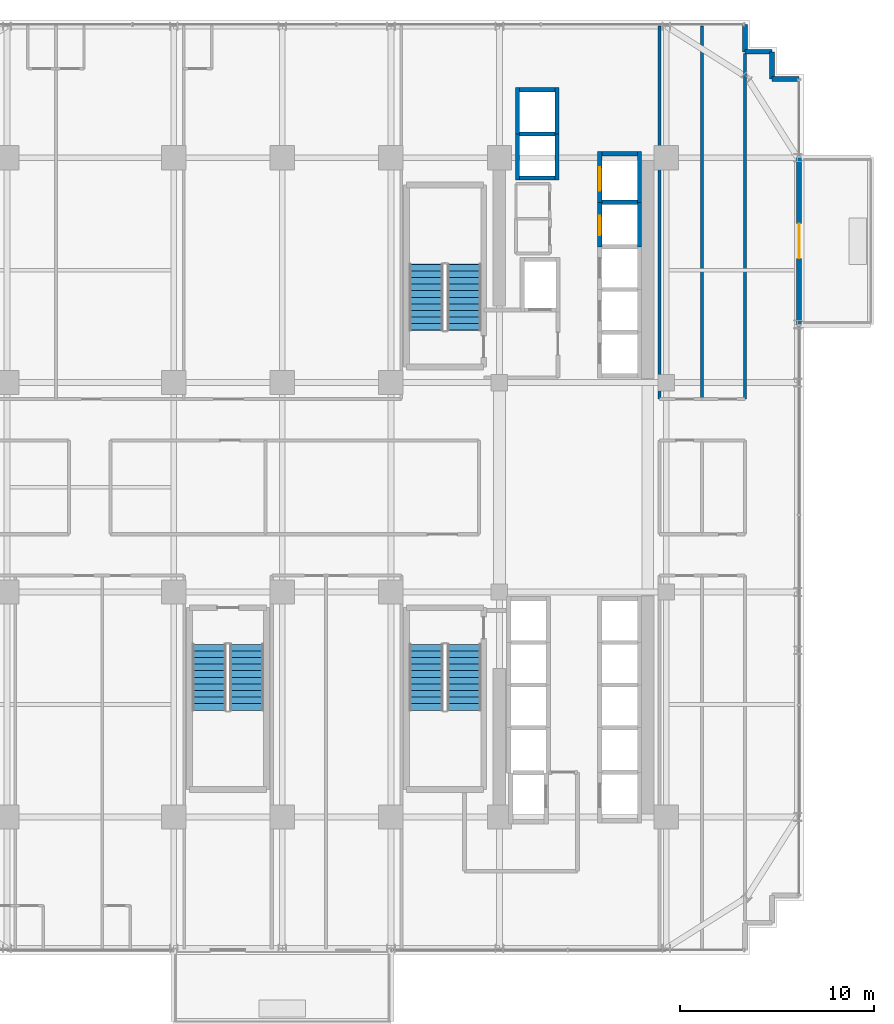
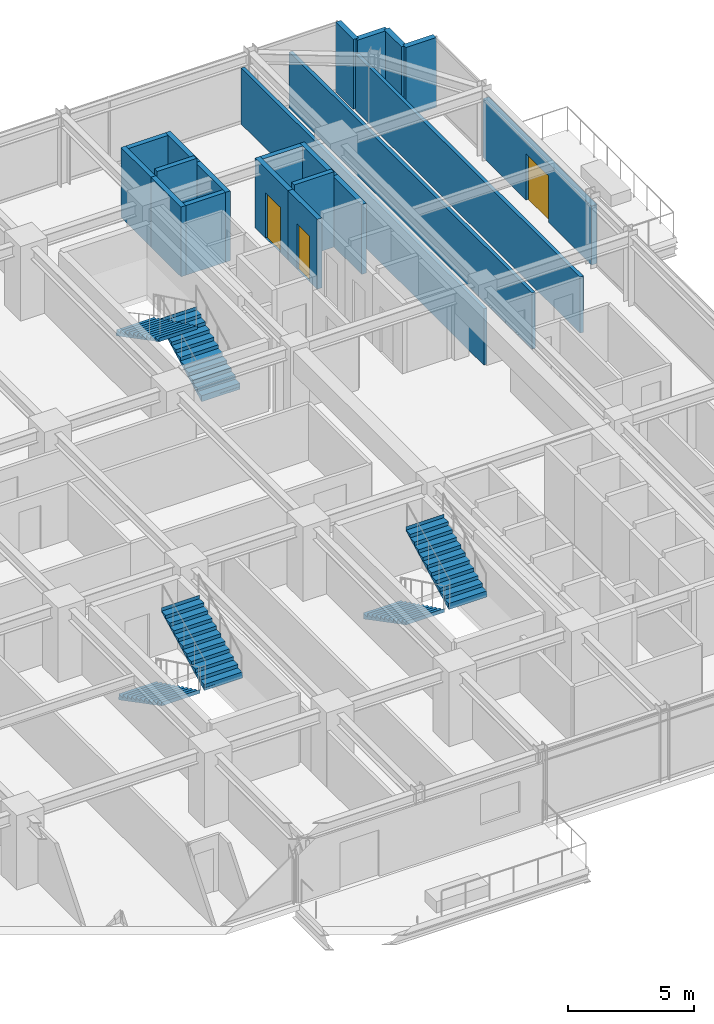
# One storey, part 30 of 33: 21 walls, 6 stair flights, 3 doors, 3 openings, 3 elements without a shape of their own.
"""IFC4 building model written with IfcOpenShell, lengths in metres."""

from ifc_helpers import new_model, si_unit, direction, frame, frame_2d, origin, place, context, subcontext, project, spatial, polyline, rectangle, outline, extrude, source, transform, mapped, material, layer, layer_set, type_object, element, fill, aggregate, save


model = new_model("IFC4")

# Units and contexts
model_context = context("Model", 3, precision=1e-05, world=origin(), true_north=direction((0.0, 1.0)))
body_context = subcontext(model_context, "Body", "Model", "MODEL_VIEW")
ifc_project = project(units=[si_unit("LENGTHUNIT", "METRE"), si_unit("AREAUNIT", "SQUARE_METRE"), si_unit("VOLUMEUNIT", "CUBIC_METRE"), si_unit("PLANEANGLEUNIT", "RADIAN"), si_unit("MASSUNIT", "GRAM", prefix="KILO")], contexts=[model_context])

# Site, building, storey
site_placement = place(None, origin())
site = spatial("IfcSite", under=ifc_project, at=site_placement, CompositionType="ELEMENT")
building_placement = place(site_placement, origin())
building = spatial("IfcBuilding", under=site, at=building_placement, Name="Nahalor Promenade Grand Hotel", CompositionType="ELEMENT")
storey_placement = place(building_placement, frame((0.0, 0.0, 117.5)))
storey = spatial("IfcBuildingStorey", under=building, at=storey_placement, Name="L29", CompositionType="ELEMENT", Elevation=117.5)

# Walls
ifc_material_1 = material(Name="Concrete B-50 (C40/50)", Category="concrete")
ifc_layer_1 = layer(ifc_material_1, 0.219970703125)
ifc_layer_set_1 = layer_set([ifc_layer_1], Name="Concrete B-50 (C40/50)")
wall_type_1 = type_object("IfcWallType", Name="Wall-LiftShaft-220", PredefinedType="SHEAR", material=ifc_layer_set_1)
shared_shape_1 = source(origin(), body_context, "Body", "SweptSolid", [
    extrude(rectangle(XDim=1.820068359375, YDim=0.219970703125, at=frame_2d((0.91015625, 0.0))), origin(), (0.0, 0.0, 1.0), 3.64990234375),
])
for number, where, z_axis, x_axis, name in (
    (1, (13.68994140625, 14.699951171875, 0.0), (0.0, 0.0, 1.0), (1.0, 0.0, 0.0), "L29 Lift PL4 Hoistway Wall N"),
    (2, (9.43994140625, 18.22509765625, 0.0), (0.0, 0.0, 1.0), (1.0, 0.0, 0.0), "L29 Lift OB1 Hoistway Wall N"),
):
    element("IfcWall", number, at=place(storey_placement, frame(where, z_axis=z_axis, x_axis=x_axis)), inside=storey, type_object=wall_type_1, Name=name, PredefinedType="SHEAR", context=body_context, shape_type="MappedRepresentation", body=[
        mapped(shared_shape_1, transform((0.0, 0.0, 0.0), scale=1.0)),
    ])
shared_shape_2 = source(origin(), body_context, "Body", "SweptSolid", [
    extrude(rectangle(XDim=1.820068359375, YDim=0.219970703125, at=frame_2d((0.91015625, 0.0))), origin(), (0.0, 0.0, 1.0), 3.3798828125),
])
for number, where, z_axis, x_axis, name in (
    (3, (9.43994140625, 15.949951171875, 0.0), (0.0, 0.0, 1.0), (1.0, 0.0, 0.0), "L29 Lift OB1 Hoistway Wall S"),
    (4, (9.43994140625, 20.5, 0.0), (0.0, 0.0, 1.0), (1.0, 0.0, 0.0), "L29 Lift OB2 Hoistway Wall N"),
    (5, (13.68994140625, 17.199951171875, 0.0), (0.0, 0.0, 1.0), (1.0, 0.0, 0.0), "L29 Lift SV1 Hoistway Wall N"),
):
    element("IfcWall", number, at=place(storey_placement, frame(where, z_axis=z_axis, x_axis=x_axis)), inside=storey, type_object=wall_type_1, Name=name, PredefinedType="SHEAR", context=body_context, shape_type="MappedRepresentation", body=[
        mapped(shared_shape_2, transform((0.0, 0.0, 0.0), scale=1.0)),
    ])

# Wall, opening, door
shared_shape_3 = source(origin(), body_context, "Body", "SweptSolid", [
    extrude(rectangle(XDim=2.300048828125, YDim=0.219970703125, at=frame_2d((1.14990234375, 0.0))), origin(), (0.0, 0.0, 1.0), 3.3798828125),
])
wall_1_placement = place(storey_placement, frame((13.580078125, 12.39990234375, 0.0), z_axis=(0.0, 0.0, 1.0), x_axis=(0.0, 1.0, 0.0)))
wall_1 = element("IfcWall", 6, at=wall_1_placement, inside=storey, type_object=wall_type_1, Name="L29 Lift PL4 Hoistway Wall W", PredefinedType="SHEAR", context=body_context, shape_type="MappedRepresentation", body=[
    mapped(shared_shape_3, transform((0.0, 0.0, 0.0), scale=1.0)),
])
opening_1_placement = place(wall_1_placement, frame((0.60009765625, 0.0, 0.0)))
opening_1 = element("IfcOpeningElement", 7, at=opening_1_placement, cuts=wall_1, Name="Opening LD-01", PredefinedType="OPENING", context=body_context, shape_type="SweptSolid", body=[
    extrude(rectangle(XDim=1.0, YDim=2.199951171875, at=frame_2d((0.5, 1.10009765625))), frame((0.0, 0.119873046875, 0.0), z_axis=(0.0, -1.0, 0.0), x_axis=(1.0, 0.0, 0.0)), (0.0, 0.0, 1.0), 0.239990234375),
])
ifc_material_2 = material(Name="Steel S355JR", Category="steel")
door_type_1 = type_object("IfcDoorType", Name="Door-LiftLanding-1000", OperationType="DOUBLE_DOOR_SLIDING", PredefinedType="DOOR", material=ifc_material_2)
shared_shape_4 = source(origin(), body_context, "Body", "SweptSolid", [
    extrude(rectangle(XDim=1.0, YDim=2.199951171875, at=frame_2d((0.5, 1.10009765625))), frame((0.0, 0.02490234375, 0.0), z_axis=(0.0, -1.0, 0.0), x_axis=(1.0, 0.0, 0.0)), (0.0, 0.0, 1.0), 0.050048828125),
])
door_1_placement = place(opening_1_placement, origin())
door_1 = element("IfcDoor", 8, at=door_1_placement, inside=storey, type_object=door_type_1, Name="DR-LIFT-PL4-L29", OperationType="DOUBLE_DOOR_SLIDING", OverallHeight=2.199951171875, OverallWidth=1.0, PredefinedType="DOOR", context=body_context, shape_type="MappedRepresentation", body=[
    mapped(shared_shape_4, transform((0.0, 0.0, 0.0), scale=1.0)),
])
fill(opening_1, door_1)

# Walls
wall_2_placement = place(storey_placement, frame((15.6201171875, 12.39990234375, 0.0), z_axis=(0.0, 0.0, 1.0), x_axis=(0.0, 1.0, 0.0)))
element("IfcWall", 9, at=wall_2_placement, inside=storey, type_object=wall_type_1, Name="L29 Lift PL4 Hoistway Wall E", PredefinedType="SHEAR", context=body_context, shape_type="MappedRepresentation", body=[
    mapped(shared_shape_3, transform((0.0, 0.0, 0.0), scale=1.0)),
])
shared_shape_5 = source(origin(), body_context, "Body", "SweptSolid", [
    extrude(rectangle(XDim=2.385009765625, YDim=0.219970703125, at=frame_2d((1.1923828125, 0.0))), origin(), (0.0, 0.0, 1.0), 3.3798828125),
])
for number, where, z_axis, x_axis, name in (
    (10, (9.330078125, 15.840087890625, 0.0), (0.0, 0.0, 1.0), (0.0, 1.0, 0.0), "L29 Lift OB1 Hoistway Wall W"),
    (11, (11.3701171875, 15.840087890625, 0.0), (0.0, 0.0, 1.0), (0.0, 1.0, 0.0), "L29 Lift OB1 Hoistway Wall E"),
    (12, (9.330078125, 18.22509765625, 0.0), (0.0, 0.0, 1.0), (0.0, 1.0, 0.0), "L29 Lift OB2 Hoistway Wall W"),
    (13, (11.3701171875, 18.22509765625, 0.0), (0.0, 0.0, 1.0), (0.0, 1.0, 0.0), "L29 Lift OB2 Hoistway Wall E"),
):
    element("IfcWall", number, at=place(storey_placement, frame(where, z_axis=z_axis, x_axis=x_axis)), inside=storey, type_object=wall_type_1, Name=name, PredefinedType="SHEAR", context=body_context, shape_type="MappedRepresentation", body=[
        mapped(shared_shape_5, transform((0.0, 0.0, 0.0), scale=1.0)),
    ])

# Wall, opening, door
shared_shape_6 = source(origin(), body_context, "Body", "SweptSolid", [
    extrude(rectangle(XDim=2.610107421875, YDim=0.219970703125, at=frame_2d((1.30517578125, 0.0))), origin(), (0.0, 0.0, 1.0), 3.3798828125),
])
wall_3_placement = place(storey_placement, frame((13.580078125, 14.699951171875, 0.0), z_axis=(0.0, 0.0, 1.0), x_axis=(0.0, 1.0, 0.0)))
wall_3 = element("IfcWall", 14, at=wall_3_placement, inside=storey, type_object=wall_type_1, Name="L29 Lift SV1 Hoistway Wall W", PredefinedType="SHEAR", context=body_context, shape_type="MappedRepresentation", body=[
    mapped(shared_shape_6, transform((0.0, 0.0, 0.0), scale=1.0)),
])
opening_2_placement = place(wall_3_placement, frame((0.60009765625, 0.0, 0.0)))
opening_2 = element("IfcOpeningElement", 15, at=opening_2_placement, cuts=wall_3, Name="Opening LD-03", PredefinedType="OPENING", context=body_context, shape_type="SweptSolid", body=[
    extrude(rectangle(XDim=1.199951171875, YDim=2.199951171875, at=frame_2d((0.60009765625, 1.10009765625))), frame((0.0, 0.119873046875, 0.0), z_axis=(0.0, -1.0, 0.0), x_axis=(1.0, 0.0, 0.0)), (0.0, 0.0, 1.0), 0.239990234375),
])
door_type_2 = type_object("IfcDoorType", Name="Door-LiftService-1200", OperationType="DOUBLE_DOOR_SLIDING", PredefinedType="DOOR", material=ifc_material_2)
shared_shape_7 = source(origin(), body_context, "Body", "SweptSolid", [
    extrude(rectangle(XDim=1.199951171875, YDim=2.199951171875, at=frame_2d((0.60009765625, 1.10009765625))), frame((0.0, 0.02490234375, 0.0), z_axis=(0.0, -1.0, 0.0), x_axis=(1.0, 0.0, 0.0)), (0.0, 0.0, 1.0), 0.050048828125),
])
door_2_placement = place(opening_2_placement, origin())
door_2 = element("IfcDoor", 16, at=door_2_placement, inside=storey, type_object=door_type_2, Name="DR-LIFT-SV1-L29", OperationType="DOUBLE_DOOR_SLIDING", OverallHeight=2.199951171875, OverallWidth=1.199951171875, PredefinedType="DOOR", context=body_context, shape_type="MappedRepresentation", body=[
    mapped(shared_shape_7, transform((0.0, 0.0, 0.0), scale=1.0)),
])
fill(opening_2, door_2)

# Walls
wall_4_placement = place(storey_placement, frame((15.6201171875, 14.699951171875, 0.0), z_axis=(0.0, 0.0, 1.0), x_axis=(0.0, 1.0, 0.0)))
element("IfcWall", 17, at=wall_4_placement, inside=storey, type_object=wall_type_1, Name="L29 Lift SV1 Hoistway Wall E", PredefinedType="SHEAR", context=body_context, shape_type="MappedRepresentation", body=[
    mapped(shared_shape_6, transform((0.0, 0.0, 0.0), scale=1.0)),
])
ifc_material_3 = material(Name="Concrete B-40 (C32/40)", Category="concrete")
ifc_layer_2 = layer(ifc_material_3, 0.25)
ifc_layer_set_2 = layer_set([ifc_layer_2], Name="Concrete B-40 (C32/40)")
wall_type_2 = type_object("IfcWallType", Name="Wall-BronzePier-250", PredefinedType="STANDARD", material=ifc_layer_set_2)
shared_shape_8 = source(origin(), body_context, "Body", "SweptSolid", [
    extrude(rectangle(XDim=1.400146484375, YDim=0.25, at=frame_2d((0.7001953125, 0.0))), origin(), (0.0, 0.0, 1.0), 3.3798828125),
])
for number, where, z_axis, x_axis, name in (
    (18, (22.4599609375, 21.06005859375, 0.0), (0.0, 0.0, 1.0), (1.0, 0.0, 0.0), "W-L29-SR-05"),
    (19, (21.06005859375, 22.4599609375, 0.0), (0.0, 0.0, 1.0), (0.0, 1.0, 0.0), "W-L29-SR-08"),
):
    element("IfcWall", number, at=place(storey_placement, frame(where, z_axis=z_axis, x_axis=x_axis)), inside=storey, type_object=wall_type_2, Name=name, PredefinedType="STANDARD", context=body_context, shape_type="MappedRepresentation", body=[
        mapped(shared_shape_8, transform((0.0, 0.0, 0.0), scale=1.0)),
    ])
shared_shape_9 = source(origin(), body_context, "Body", "SweptSolid", [
    extrude(rectangle(XDim=1.39990234375, YDim=0.25, at=frame_2d((0.699951171875, 0.0))), origin(), (0.0, 0.0, 1.0), 3.3798828125),
])
for number, where, z_axis, x_axis, name in (
    (20, (22.4599609375, 21.06005859375, 0.0), (0.0, 0.0, 1.0), (0.0, 1.0, 0.0), "W-L29-SR-06"),
    (21, (21.06005859375, 22.4599609375, 0.0), (0.0, 0.0, 1.0), (1.0, 0.0, 0.0), "W-L29-SR-07"),
):
    element("IfcWall", number, at=place(storey_placement, frame(where, z_axis=z_axis, x_axis=x_axis)), inside=storey, type_object=wall_type_2, Name=name, PredefinedType="STANDARD", context=body_context, shape_type="MappedRepresentation", body=[
        mapped(shared_shape_9, transform((0.0, 0.0, 0.0), scale=1.0)),
    ])

# Wall, opening, door
ifc_layer_3 = layer(ifc_material_3, 0.260009765625)
ifc_layer_set_3 = layer_set([ifc_layer_3], Name="Concrete B-40 (C32/40)")
wall_type_3 = type_object("IfcWallType", Name="Wall-BalconyWall-260", PredefinedType="STANDARD", material=ifc_layer_set_3)
shared_shape_10 = source(origin(), body_context, "Body", "SweptSolid", [
    extrude(rectangle(XDim=8.60009765625, YDim=0.260009765625, at=frame_2d((4.300048828125, 0.0))), origin(), (0.0, 0.0, 1.0), 2.860107421875),
])
wall_5_placement = place(storey_placement, frame((23.860107421875, 8.39990234375, 0.0), z_axis=(0.0, 0.0, 1.0), x_axis=(0.0, 1.0, 0.0)))
wall_5 = element("IfcWall", 22, at=wall_5_placement, inside=storey, type_object=wall_type_3, Name="W-L29-BALC-E-2", PredefinedType="STANDARD", context=body_context, shape_type="MappedRepresentation", body=[
    mapped(shared_shape_10, transform((0.0, 0.0, 0.0), scale=1.0)),
])
opening_3_placement = place(wall_5_placement, frame((3.39990234375, 0.0, 0.0)))
opening_3 = element("IfcOpeningElement", 23, at=opening_3_placement, cuts=wall_5, Name="Opening D-BC1", PredefinedType="OPENING", context=body_context, shape_type="SweptSolid", body=[
    extrude(rectangle(XDim=1.800048828125, YDim=2.25, at=frame_2d((0.89990234375, 1.125))), frame((0.0, 0.139892578125, 0.0), z_axis=(0.0, -1.0, 0.0), x_axis=(1.0, 0.0, 0.0)), (0.0, 0.0, 1.0), 0.280029296875),
])
ifc_material_4 = material(Name="Anodised Bronze Aluminium EN AW-6063 T6", Category="aluminium")
door_type_3 = type_object("IfcDoorType", Name="Door-BalconySlide-1800", OperationType="DOUBLE_DOOR_SLIDING", PredefinedType="DOOR", material=ifc_material_4)
shared_shape_11 = source(origin(), body_context, "Body", "SweptSolid", [
    extrude(rectangle(XDim=1.800048828125, YDim=2.25, at=frame_2d((0.89990234375, 1.125))), frame((0.0, 0.02490234375, 0.0), z_axis=(0.0, -1.0, 0.0), x_axis=(1.0, 0.0, 0.0)), (0.0, 0.0, 1.0), 0.050048828125),
])
door_3_placement = place(opening_3_placement, frame((1.800048828125, 0.0, 0.0), z_axis=(0.0, 0.0, 1.0), x_axis=(-1.0, 0.0, 0.0)))
door_3 = element("IfcDoor", 24, at=door_3_placement, inside=storey, type_object=door_type_3, Name="DR-L29-BALC-E-2", OperationType="DOUBLE_DOOR_SLIDING", OverallHeight=2.25, OverallWidth=1.800048828125, PredefinedType="DOOR", context=body_context, shape_type="MappedRepresentation", body=[
    mapped(shared_shape_11, transform((0.0, 0.0, 0.0), scale=1.0)),
])
fill(opening_3, door_3)

# Walls
ifc_material_5 = material(Name="Acoustic Mineral Gypsum", Category="gypsum")
ifc_layer_4 = layer(ifc_material_5, 0.159912109375)
ifc_layer_set_4 = layer_set([ifc_layer_4], Name="Acoustic Mineral Gypsum")
wall_type_4 = type_object("IfcWallType", Name="Wall-PartCorridor-160", PredefinedType="PARTITIONING", material=ifc_layer_set_4)
shared_shape_12 = source(origin(), body_context, "Body", "SweptSolid", [
    extrude(rectangle(XDim=19.25, YDim=0.159912109375, at=frame_2d((9.625, 0.0))), origin(), (0.0, 0.0, 1.0), 2.719970703125),
])
for number, where, z_axis, x_axis, name in (
    (25, (16.64990234375, 4.550048828125, 0.0), (0.0, 0.0, 1.0), (0.0, 1.0, 0.0), "W-L29-ENE1-W"),
    (26, (18.85498046875, 4.550048828125, 0.0), (0.0, 0.0, 1.0), (0.0, 1.0, 0.0), "W-L29-ENE1-E"),
):
    element("IfcWall", number, at=place(storey_placement, frame(where, z_axis=z_axis, x_axis=x_axis)), inside=storey, type_object=wall_type_4, Name=name, PredefinedType="PARTITIONING", context=body_context, shape_type="MappedRepresentation", body=[
        mapped(shared_shape_12, transform((0.0, 0.0, 0.0), scale=1.0)),
    ])
shared_shape_13 = source(origin(), body_context, "Body", "SweptSolid", [
    extrude(rectangle(XDim=17.829833984375, YDim=0.159912109375, at=frame_2d((8.9150390625, 0.0))), origin(), (0.0, 0.0, 1.0), 2.719970703125),
])
wall_6_placement = place(storey_placement, frame((21.06005859375, 4.550048828125, 0.0), z_axis=(0.0, 0.0, 1.0), x_axis=(0.0, 1.0, 0.0)))
element("IfcWall", 27, at=wall_6_placement, inside=storey, type_object=wall_type_4, Name="W-L29-ENE2-E", PredefinedType="PARTITIONING", context=body_context, shape_type="MappedRepresentation", body=[
    mapped(shared_shape_13, transform((0.0, 0.0, 0.0), scale=1.0)),
])

# Stair, stair flights
stair_type_1 = type_object("IfcStairType", Name="Stair-ST1", PredefinedType="HALF_TURN_STAIR", material=ifc_material_1)
stair_1_placement = place(storey_placement, origin())
stair_1 = element("IfcStair", 28, at=stair_1_placement, inside=storey, type_object=stair_type_1, Name="L29 ST1", PredefinedType="HALF_TURN_STAIR")
ifc_layer_5 = layer(ifc_material_1, 0.179931640625)
ifc_layer_set_5 = layer_set([ifc_layer_5], Name="Concrete B-50 (C40/50)")
stair_flight_type_1 = type_object("IfcStairFlightType", Name="Flight-ST1", PredefinedType="STRAIGHT", material=ifc_layer_set_5)
shared_shape_14 = source(origin(), body_context, "Body", "SweptSolid", [
    extrude(outline(polyline([(-0.00390625, -0.1201171875), (-0.00390625, 0.0), (0.0, 0.0), (0.0, 0.166015625), (0.340087890625, 0.166015625), (0.340087890625, 0.331787109375), (0.679931640625, 0.331787109375), (0.679931640625, 0.497802734375), (1.02001953125, 0.497802734375), (1.02001953125, 0.66357421875), (1.360107421875, 0.66357421875), (1.360107421875, 0.82958984375), (1.699951171875, 0.82958984375), (1.699951171875, 0.995361328125), (2.0400390625, 0.995361328125), (2.0400390625, 1.161376953125), (2.3798828125, 1.161376953125), (2.3798828125, 1.327392578125), (2.719970703125, 1.327392578125), (2.719970703125, 1.4931640625), (3.06005859375, 1.4931640625), (3.06005859375, 1.6591796875), (3.39990234375, 1.6591796875), (3.39990234375, 1.824951171875), (3.404052734375, 1.824951171875), (3.404052734375, 1.64501953125), (0.02001953125, -0.1201171875), (-0.00390625, -0.1201171875)])), frame((0.0, 0.875, 0.0), z_axis=(0.0, -1.0, 0.0), x_axis=(1.0, 0.0, 0.0)), (0.0, 0.0, 1.0), 1.75),
])
stair_flight_1_placement = place(storey_placement, frame((6.574951171875, 8.10009765625, 0.0), z_axis=(0.0, 0.0, 1.0), x_axis=(0.0, 1.0, 0.0)))
stair_flight_1 = element("IfcStairFlight", 29, at=stair_flight_1_placement, type_object=stair_flight_type_1, Name="ST1 flight 1", NumberOfRisers=11, NumberOfTreads=10, PredefinedType="STRAIGHT", RiserHeight=0.165909091, TreadLength=0.34, context=body_context, shape_type="MappedRepresentation", body=[
    mapped(shared_shape_14, transform((0.0, 0.0, 0.0), scale=1.0)),
])
stair_flight_2_placement = place(storey_placement, frame((4.625, 11.5, 1.824951171875), z_axis=(0.0, 0.0, 1.0), x_axis=(0.0, -1.0, 0.0)))
stair_flight_2 = element("IfcStairFlight", 30, at=stair_flight_2_placement, type_object=stair_flight_type_1, Name="ST1 flight 2", NumberOfRisers=11, NumberOfTreads=10, PredefinedType="STRAIGHT", RiserHeight=0.165909091, TreadLength=0.34, context=body_context, shape_type="MappedRepresentation", body=[
    mapped(shared_shape_14, transform((0.0, 0.0, 0.0), scale=1.0)),
])
aggregate(stair_1, [stair_flight_1, stair_flight_2])

stair_type_2 = type_object("IfcStairType", Name="Stair-ST2", PredefinedType="HALF_TURN_STAIR", material=ifc_material_1)
stair_2_placement = place(storey_placement, origin())
stair_2 = element("IfcStair", 31, at=stair_2_placement, inside=storey, type_object=stair_type_2, Name="L29 ST2", PredefinedType="HALF_TURN_STAIR")
ifc_layer_6 = layer(ifc_material_1, 0.18994140625)
ifc_layer_set_6 = layer_set([ifc_layer_6], Name="Concrete B-50 (C40/50)")
stair_flight_type_2 = type_object("IfcStairFlightType", Name="Flight-ST2", PredefinedType="STRAIGHT", material=ifc_layer_set_6)
shared_shape_15 = source(origin(), body_context, "Body", "SweptSolid", [
    extrude(outline(polyline([(-0.00390625, -0.1201171875), (-0.00390625, 0.0), (0.0, 0.0), (0.0, 0.166015625), (0.340087890625, 0.166015625), (0.340087890625, 0.331787109375), (0.679931640625, 0.331787109375), (0.679931640625, 0.497802734375), (1.02001953125, 0.497802734375), (1.02001953125, 0.66357421875), (1.360107421875, 0.66357421875), (1.360107421875, 0.82958984375), (1.699951171875, 0.82958984375), (1.699951171875, 0.995361328125), (2.0400390625, 0.995361328125), (2.0400390625, 1.161376953125), (2.3798828125, 1.161376953125), (2.3798828125, 1.327392578125), (2.719970703125, 1.327392578125), (2.719970703125, 1.4931640625), (3.06005859375, 1.4931640625), (3.06005859375, 1.6591796875), (3.39990234375, 1.6591796875), (3.39990234375, 1.824951171875), (3.404052734375, 1.824951171875), (3.404052734375, 1.64501953125), (0.02001953125, -0.1201171875), (-0.00390625, -0.1201171875)])), frame((0.0, 0.875, 0.0), z_axis=(0.0, -1.0, 0.0), x_axis=(1.0, 0.0, 0.0)), (0.0, 0.0, 1.0), 1.75),
])
stair_flight_3_placement = place(storey_placement, frame((4.625, -8.10009765625, 0.0), z_axis=(0.0, 0.0, 1.0), x_axis=(0.0, -1.0, 0.0)))
stair_flight_3 = element("IfcStairFlight", 32, at=stair_flight_3_placement, type_object=stair_flight_type_2, Name="ST2 flight 1", NumberOfRisers=11, NumberOfTreads=10, PredefinedType="STRAIGHT", RiserHeight=0.165909091, TreadLength=0.34, context=body_context, shape_type="MappedRepresentation", body=[
    mapped(shared_shape_15, transform((0.0, 0.0, 0.0), scale=1.0)),
])
stair_flight_4_placement = place(storey_placement, frame((6.574951171875, -11.5, 1.824951171875), z_axis=(0.0, 0.0, 1.0), x_axis=(0.0, 1.0, 0.0)))
stair_flight_4 = element("IfcStairFlight", 33, at=stair_flight_4_placement, type_object=stair_flight_type_2, Name="ST2 flight 2", NumberOfRisers=11, NumberOfTreads=10, PredefinedType="STRAIGHT", RiserHeight=0.165909091, TreadLength=0.34, context=body_context, shape_type="MappedRepresentation", body=[
    mapped(shared_shape_15, transform((0.0, 0.0, 0.0), scale=1.0)),
])
aggregate(stair_2, [stair_flight_3, stair_flight_4])

stair_type_3 = type_object("IfcStairType", Name="Stair-ST3", PredefinedType="HALF_TURN_STAIR", material=ifc_material_1)
stair_3_placement = place(storey_placement, origin())
stair_3 = element("IfcStair", 34, at=stair_3_placement, inside=storey, type_object=stair_type_3, Name="L29 ST3", PredefinedType="HALF_TURN_STAIR")
ifc_layer_7 = layer(ifc_material_1, 0.199951171875)
ifc_layer_set_7 = layer_set([ifc_layer_7], Name="Concrete B-50 (C40/50)")
stair_flight_type_3 = type_object("IfcStairFlightType", Name="Flight-ST3", PredefinedType="STRAIGHT", material=ifc_layer_set_7)
shared_shape_16 = source(origin(), body_context, "Body", "SweptSolid", [
    extrude(outline(polyline([(-0.00390625, -0.1201171875), (-0.00390625, 0.0), (0.0, 0.0), (0.0, 0.166015625), (0.340087890625, 0.166015625), (0.340087890625, 0.331787109375), (0.679931640625, 0.331787109375), (0.679931640625, 0.497802734375), (1.02001953125, 0.497802734375), (1.02001953125, 0.66357421875), (1.360107421875, 0.66357421875), (1.360107421875, 0.82958984375), (1.699951171875, 0.82958984375), (1.699951171875, 0.995361328125), (2.0400390625, 0.995361328125), (2.0400390625, 1.161376953125), (2.3798828125, 1.161376953125), (2.3798828125, 1.327392578125), (2.719970703125, 1.327392578125), (2.719970703125, 1.4931640625), (3.06005859375, 1.4931640625), (3.06005859375, 1.6591796875), (3.39990234375, 1.6591796875), (3.39990234375, 1.824951171875), (3.404052734375, 1.824951171875), (3.404052734375, 1.64501953125), (0.02001953125, -0.1201171875), (-0.00390625, -0.1201171875)])), frame((0.0, 0.875, 0.0), z_axis=(0.0, -1.0, 0.0), x_axis=(1.0, 0.0, 0.0)), (0.0, 0.0, 1.0), 1.75),
])
stair_flight_5_placement = place(storey_placement, frame((-6.574951171875, -8.10009765625, 0.0), z_axis=(0.0, 0.0, 1.0), x_axis=(0.0, -1.0, 0.0)))
stair_flight_5 = element("IfcStairFlight", 35, at=stair_flight_5_placement, type_object=stair_flight_type_3, Name="ST3 flight 1", NumberOfRisers=11, NumberOfTreads=10, PredefinedType="STRAIGHT", RiserHeight=0.165909091, TreadLength=0.34, context=body_context, shape_type="MappedRepresentation", body=[
    mapped(shared_shape_16, transform((0.0, 0.0, 0.0), scale=1.0)),
])
stair_flight_6_placement = place(storey_placement, frame((-4.625, -11.5, 1.824951171875), z_axis=(0.0, 0.0, 1.0), x_axis=(0.0, 1.0, 0.0)))
stair_flight_6 = element("IfcStairFlight", 36, at=stair_flight_6_placement, type_object=stair_flight_type_3, Name="ST3 flight 2", NumberOfRisers=11, NumberOfTreads=10, PredefinedType="STRAIGHT", RiserHeight=0.165909091, TreadLength=0.34, context=body_context, shape_type="MappedRepresentation", body=[
    mapped(shared_shape_16, transform((0.0, 0.0, 0.0), scale=1.0)),
])
aggregate(stair_3, [stair_flight_5, stair_flight_6])

save(model, "model.ifc")
